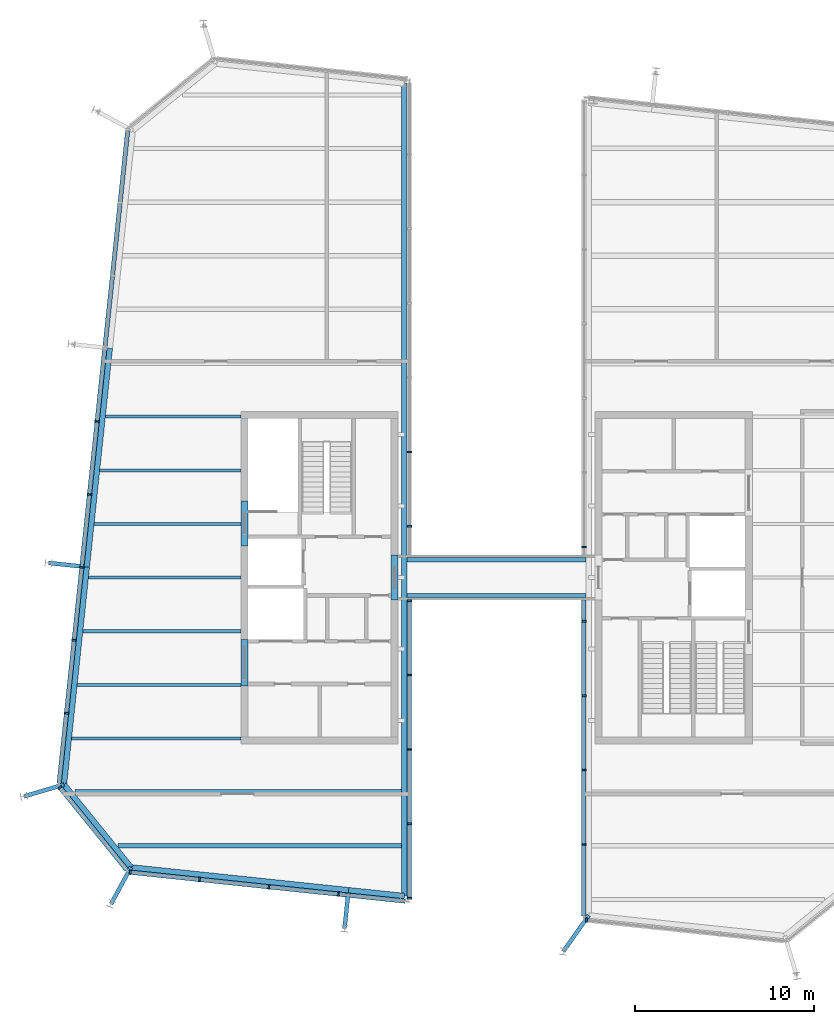
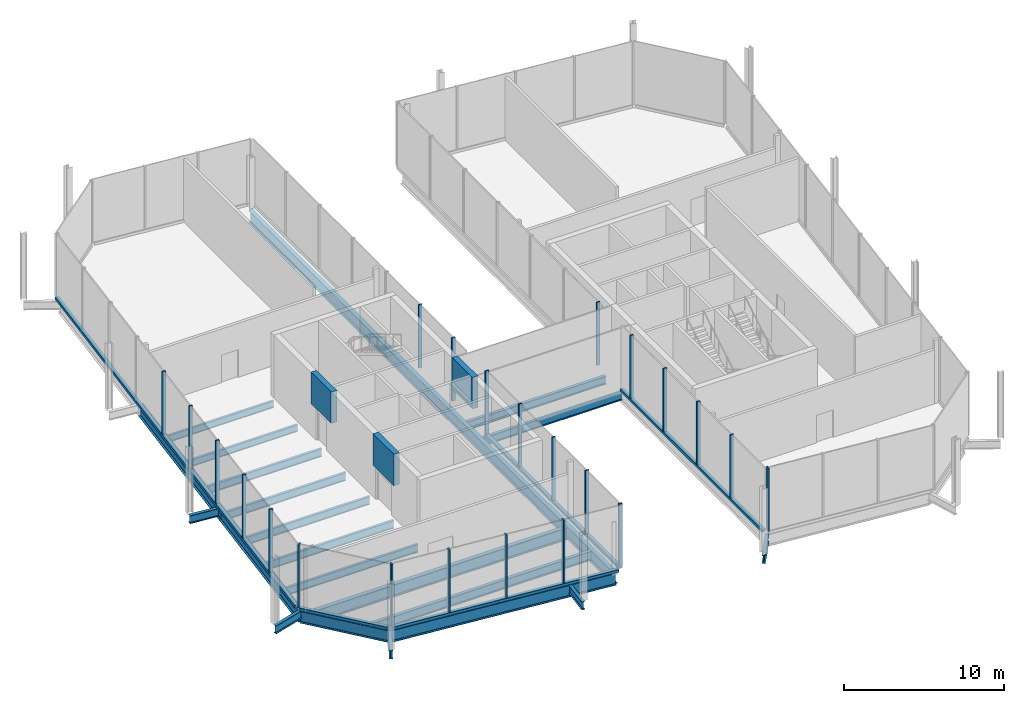
# One storey, part 3 of 12: 28 members, 25 beams, 6 elements without a shape of their own.
"""IFC4 building model written with IfcOpenShell, lengths in metres."""

from ifc_helpers import new_model, si_unit, direction, frame, origin, origin_2d, place, context, subcontext, project, spatial, rectangle, i_section, extrude, material, layer, layer_set, material_profile, profile_set, type_object, element, aggregate, save


model = new_model("IFC4")

# Units and contexts
model_context = context("Model", 3, precision=1e-05, world=origin(), true_north=direction((0.0, 1.0)))
body_context = subcontext(model_context, "Body", "Model", "MODEL_VIEW")
ifc_project = project(units=[si_unit("LENGTHUNIT", "METRE"), si_unit("AREAUNIT", "SQUARE_METRE"), si_unit("VOLUMEUNIT", "CUBIC_METRE"), si_unit("PLANEANGLEUNIT", "RADIAN"), si_unit("MASSUNIT", "GRAM", prefix="KILO")], contexts=[model_context])

# Site, building, storey
site_placement = place(None, origin())
site = spatial("IfcSite", under=ifc_project, at=site_placement, CompositionType="ELEMENT")
building_placement = place(site_placement, origin())
building = spatial("IfcBuilding", under=site, at=building_placement, Name="Millrace Tower", CompositionType="ELEMENT")
storey_placement = place(building_placement, frame((0.0, 0.0, 347.10009765625)))
storey = spatial("IfcBuildingStorey", under=building, at=storey_placement, Name="L80", CompositionType="ELEMENT", Elevation=347.10009765625)

# Beams
ifc_material_1 = material(Name="Steel ASTM A992 Grade 50", Category="steel")
ifc_material_profile_1 = material_profile(ifc_material_1, i_section(OverallWidth=0.23046875, OverallDepth=0.6171875, WebThickness=0.01318359375, FlangeThickness=0.022216796875, FilletRadius=0.012939453125, at=origin_2d()))
ifc_profile_set_1 = profile_set([ifc_material_profile_1], Name="Steel ASTM A992 Grade 50")
beam_type_1 = type_object("IfcBeamType", Name="Bridge beam W24x94", PredefinedType="BEAM", material=ifc_profile_set_1)
for number, where, z_axis, x_axis, name in (
    (1, (-5.0, -1.0, -0.5087890625), (1.0, 0.0, 0.0), (0.0, 1.0, 0.0), "BR-LK-L80-S"),
    (2, (-5.0, 1.0, -0.5087890625), (1.0, 0.0, 0.0), (0.0, 1.0, 0.0), "BR-LK-L80-N"),
):
    element("IfcBeam", number, at=place(storey_placement, frame(where, z_axis=z_axis, x_axis=x_axis)), inside=storey, type_object=beam_type_1, Name=name, PredefinedType="BEAM", context=body_context, shape_type="SweptSolid", body=[
        extrude(i_section(OverallWidth=0.23046875, OverallDepth=0.6171875, WebThickness=0.01318359375, FlangeThickness=0.022216796875, FilletRadius=0.012939453125, at=origin_2d()), origin(), (0.0, 0.0, 1.0), 10.0),
    ])

# Curtain wall, members
ifc_material_2 = material(Name="Aluminium and glass", Category="aluminium")
ifc_layer = layer(ifc_material_2, 0.25)
ifc_layer_set = layer_set([ifc_layer], Name="Aluminium and glass")
curtain_wall_type = type_object("IfcCurtainWallType", Name="CW-7 crown louvred enclosure", PredefinedType="NOTDEFINED", material=ifc_layer_set)
placement = place(storey_placement, origin())
curtain_wall_1 = element("IfcCurtainWall", 3, at=placement, inside=storey, type_object=curtain_wall_type, Name="Curtain wall CW-F01 L80", PredefinedType="NOTDEFINED")
ifc_material_3 = material(Name="Aluminium", Category="aluminium")
ifc_material_profile_2 = material_profile(ifc_material_3, rectangle(XDim=0.10009765625, YDim=0.25, at=origin_2d()))
ifc_profile_set_2 = profile_set([ifc_material_profile_2], Name="Aluminium")
member_type_1 = type_object("IfcMemberType", Name="CW-7 crown louvred enclosure mullion", PredefinedType="MULLION", material=ifc_profile_set_2)
member_1_placement = place(storey_placement, frame((-4.875, -17.9287109375, 0.199951171875), z_axis=(0.0, 0.0, 1.0), x_axis=(0.0, 1.0, 0.0)))
member_1 = element("IfcMember", 4, at=member_1_placement, type_object=member_type_1, Name="CW7 mullion CW-F01.1", PredefinedType="MULLION", context=body_context, shape_type="SweptSolid", body=[
    extrude(rectangle(XDim=0.10009765625, YDim=0.25, at=origin_2d()), origin(), (0.0, 0.0, 1.0), 4.800048828125),
])
member_2_placement = place(storey_placement, frame((-4.875, -13.76953125, 0.199951171875), z_axis=(0.0, 0.0, 1.0), x_axis=(0.0, 1.0, 0.0)))
member_2 = element("IfcMember", 5, at=member_2_placement, type_object=member_type_1, Name="CW7 mullion CW-F01.2", PredefinedType="MULLION", context=body_context, shape_type="SweptSolid", body=[
    extrude(rectangle(XDim=0.10009765625, YDim=0.25, at=origin_2d()), origin(), (0.0, 0.0, 1.0), 4.800048828125),
])
member_3_placement = place(storey_placement, frame((-4.875, -9.610595703125, 0.199951171875), z_axis=(0.0, 0.0, 1.0), x_axis=(0.0, 1.0, 0.0)))
member_3 = element("IfcMember", 6, at=member_3_placement, type_object=member_type_1, Name="CW7 mullion CW-F01.3", PredefinedType="MULLION", context=body_context, shape_type="SweptSolid", body=[
    extrude(rectangle(XDim=0.10009765625, YDim=0.25, at=origin_2d()), origin(), (0.0, 0.0, 1.0), 4.800048828125),
])
member_4_placement = place(storey_placement, frame((-4.875, -5.451416015625, 0.199951171875), z_axis=(0.0, 0.0, 1.0), x_axis=(0.0, 1.0, 0.0)))
member_4 = element("IfcMember", 7, at=member_4_placement, type_object=member_type_1, Name="CW7 mullion CW-F01.4", PredefinedType="MULLION", context=body_context, shape_type="SweptSolid", body=[
    extrude(rectangle(XDim=0.10009765625, YDim=0.25, at=origin_2d()), origin(), (0.0, 0.0, 1.0), 4.800048828125),
])
member_5_placement = place(storey_placement, frame((-4.875, -1.292236328125, 0.199951171875), z_axis=(0.0, 0.0, 1.0), x_axis=(0.0, 1.0, 0.0)))
member_5 = element("IfcMember", 8, at=member_5_placement, type_object=member_type_1, Name="CW7 mullion CW-F01.5", PredefinedType="MULLION", context=body_context, shape_type="SweptSolid", body=[
    extrude(rectangle(XDim=0.10009765625, YDim=0.25, at=origin_2d()), origin(), (0.0, 0.0, 1.0), 4.800048828125),
])
member_6_placement = place(storey_placement, frame((-4.875, 2.866943359375, 0.199951171875), z_axis=(0.0, 0.0, 1.0), x_axis=(0.0, 1.0, 0.0)))
member_6 = element("IfcMember", 9, at=member_6_placement, type_object=member_type_1, Name="CW7 mullion CW-F01.6", PredefinedType="MULLION", context=body_context, shape_type="SweptSolid", body=[
    extrude(rectangle(XDim=0.10009765625, YDim=0.25, at=origin_2d()), origin(), (0.0, 0.0, 1.0), 4.800048828125),
])
member_7_placement = place(storey_placement, frame((-4.875, 7.026123046875, 0.199951171875), z_axis=(0.0, 0.0, 1.0), x_axis=(0.0, 1.0, 0.0)))
member_7 = element("IfcMember", 10, at=member_7_placement, type_object=member_type_1, Name="CW7 mullion CW-F01.7", PredefinedType="MULLION", context=body_context, shape_type="SweptSolid", body=[
    extrude(rectangle(XDim=0.10009765625, YDim=0.25, at=origin_2d()), origin(), (0.0, 0.0, 1.0), 4.800048828125),
])

curtain_wall_2 = element("IfcCurtainWall", 11, at=placement, inside=storey, type_object=curtain_wall_type, Name="Curtain wall CW-F04 L80", PredefinedType="NOTDEFINED")
member_8_placement = place(storey_placement, frame((-22.340576171875, 8.730224609375, 0.199951171875), z_axis=(0.0, 0.0, 1.0), x_axis=(-0.104528455196, -0.994521896217, 0.0)))
member_8 = element("IfcMember", 12, at=member_8_placement, type_object=member_type_1, Name="CW7 mullion CW-F04.5", PredefinedType="MULLION", context=body_context, shape_type="SweptSolid", body=[
    extrude(rectangle(XDim=0.10009765625, YDim=0.25, at=origin_2d()), origin(), (0.0, 0.0, 1.0), 4.800048828125),
])
member_9_placement = place(storey_placement, frame((-22.769287109375, 4.652587890625, 0.199951171875), z_axis=(0.0, 0.0, 1.0), x_axis=(-0.104528455196, -0.994521896217, 0.0)))
member_9 = element("IfcMember", 13, at=member_9_placement, type_object=member_type_1, Name="CW7 mullion CW-F04.6", PredefinedType="MULLION", context=body_context, shape_type="SweptSolid", body=[
    extrude(rectangle(XDim=0.10009765625, YDim=0.25, at=origin_2d()), origin(), (0.0, 0.0, 1.0), 4.800048828125),
])
member_10_placement = place(storey_placement, frame((-23.19775390625, 0.574951171875, 0.199951171875), z_axis=(0.0, 0.0, 1.0), x_axis=(-0.104528455196, -0.994521896217, 0.0)))
member_10 = element("IfcMember", 14, at=member_10_placement, type_object=member_type_1, Name="CW7 mullion CW-F04.7", PredefinedType="MULLION", context=body_context, shape_type="SweptSolid", body=[
    extrude(rectangle(XDim=0.10009765625, YDim=0.25, at=origin_2d()), origin(), (0.0, 0.0, 1.0), 4.800048828125),
])
member_11_placement = place(storey_placement, frame((-23.626220703125, -3.50244140625, 0.199951171875), z_axis=(0.0, 0.0, 1.0), x_axis=(-0.104528455196, -0.994521896217, 0.0)))
member_11 = element("IfcMember", 15, at=member_11_placement, type_object=member_type_1, Name="CW7 mullion CW-F04.8", PredefinedType="MULLION", context=body_context, shape_type="SweptSolid", body=[
    extrude(rectangle(XDim=0.10009765625, YDim=0.25, at=origin_2d()), origin(), (0.0, 0.0, 1.0), 4.800048828125),
])
member_12_placement = place(storey_placement, frame((-24.054931640625, -7.580078125, 0.199951171875), z_axis=(0.0, 0.0, 1.0), x_axis=(-0.104528455196, -0.994521896217, 0.0)))
member_12 = element("IfcMember", 16, at=member_12_placement, type_object=member_type_1, Name="CW7 mullion CW-F04.9", PredefinedType="MULLION", context=body_context, shape_type="SweptSolid", body=[
    extrude(rectangle(XDim=0.10009765625, YDim=0.25, at=origin_2d()), origin(), (0.0, 0.0, 1.0), 4.800048828125),
])

# Curtain wall, member
curtain_wall_3 = element("IfcCurtainWall", 17, at=placement, inside=storey, type_object=curtain_wall_type, Name="Curtain wall CW-F05 L80", PredefinedType="NOTDEFINED")
member_13_placement = place(storey_placement, frame((-24.419677734375, -11.738525390625, 0.199951171875), z_axis=(0.0, 0.0, 1.0), x_axis=(0.629320278945, -0.777146052237, 0.0)))
member_13 = element("IfcMember", 18, at=member_13_placement, type_object=member_type_1, Name="CW7 mullion CW-F05.1", PredefinedType="MULLION", context=body_context, shape_type="SweptSolid", body=[
    extrude(rectangle(XDim=0.10009765625, YDim=0.25, at=origin_2d()), origin(), (0.0, 0.0, 1.0), 4.800048828125),
])

# Curtain wall, members
curtain_wall_4 = element("IfcCurtainWall", 19, at=placement, inside=storey, type_object=curtain_wall_type, Name="Curtain wall CW-F06 L80", PredefinedType="NOTDEFINED")
member_14_placement = place(storey_placement, frame((-20.490234375, -16.476318359375, 0.199951171875), z_axis=(0.0, 0.0, 1.0), x_axis=(0.994521898138, -0.104528436919, 0.0)))
member_14 = element("IfcMember", 20, at=member_14_placement, type_object=member_type_1, Name="CW7 mullion CW-F06.1", PredefinedType="MULLION", context=body_context, shape_type="SweptSolid", body=[
    extrude(rectangle(XDim=0.10009765625, YDim=0.25, at=origin_2d()), origin(), (0.0, 0.0, 1.0), 4.800048828125),
])
member_15_placement = place(storey_placement, frame((-16.608642578125, -16.88427734375, 0.199951171875), z_axis=(0.0, 0.0, 1.0), x_axis=(0.994521898138, -0.104528436919, 0.0)))
member_15 = element("IfcMember", 21, at=member_15_placement, type_object=member_type_1, Name="CW7 mullion CW-F06.2", PredefinedType="MULLION", context=body_context, shape_type="SweptSolid", body=[
    extrude(rectangle(XDim=0.10009765625, YDim=0.25, at=origin_2d()), origin(), (0.0, 0.0, 1.0), 4.800048828125),
])
member_16_placement = place(storey_placement, frame((-12.726806640625, -17.292236328125, 0.199951171875), z_axis=(0.0, 0.0, 1.0), x_axis=(0.994521898138, -0.104528436919, 0.0)))
member_16 = element("IfcMember", 22, at=member_16_placement, type_object=member_type_1, Name="CW7 mullion CW-F06.3", PredefinedType="MULLION", context=body_context, shape_type="SweptSolid", body=[
    extrude(rectangle(XDim=0.10009765625, YDim=0.25, at=origin_2d()), origin(), (0.0, 0.0, 1.0), 4.800048828125),
])
member_17_placement = place(storey_placement, frame((-8.844970703125, -17.700439453125, 0.199951171875), z_axis=(0.0, 0.0, 1.0), x_axis=(0.994521898138, -0.104528436919, 0.0)))
member_17 = element("IfcMember", 23, at=member_17_placement, type_object=member_type_1, Name="CW7 mullion CW-F06.4", PredefinedType="MULLION", context=body_context, shape_type="SweptSolid", body=[
    extrude(rectangle(XDim=0.10009765625, YDim=0.25, at=origin_2d()), origin(), (0.0, 0.0, 1.0), 4.800048828125),
])

curtain_wall_5 = element("IfcCurtainWall", 24, at=placement, inside=storey, type_object=curtain_wall_type, Name="Curtain wall CE-F01 L80", PredefinedType="NOTDEFINED")
member_18_placement = place(storey_placement, frame((4.875, 1.7158203125, 0.199951171875), z_axis=(0.0, 0.0, 1.0), x_axis=(0.0, -1.0, 0.0)))
member_18 = element("IfcMember", 25, at=member_18_placement, type_object=member_type_1, Name="CW7 mullion CE-F01.7", PredefinedType="MULLION", context=body_context, shape_type="SweptSolid", body=[
    extrude(rectangle(XDim=0.10009765625, YDim=0.25, at=origin_2d()), origin(), (0.0, 0.0, 1.0), 4.800048828125),
])
member_19_placement = place(storey_placement, frame((4.875, -2.443115234375, 0.199951171875), z_axis=(0.0, 0.0, 1.0), x_axis=(0.0, -1.0, 0.0)))
member_19 = element("IfcMember", 26, at=member_19_placement, type_object=member_type_1, Name="CW7 mullion CE-F01.8", PredefinedType="MULLION", context=body_context, shape_type="SweptSolid", body=[
    extrude(rectangle(XDim=0.10009765625, YDim=0.25, at=origin_2d()), origin(), (0.0, 0.0, 1.0), 4.800048828125),
])
member_20_placement = place(storey_placement, frame((4.875, -6.602294921875, 0.199951171875), z_axis=(0.0, 0.0, 1.0), x_axis=(0.0, -1.0, 0.0)))
member_20 = element("IfcMember", 27, at=member_20_placement, type_object=member_type_1, Name="CW7 mullion CE-F01.9", PredefinedType="MULLION", context=body_context, shape_type="SweptSolid", body=[
    extrude(rectangle(XDim=0.10009765625, YDim=0.25, at=origin_2d()), origin(), (0.0, 0.0, 1.0), 4.800048828125),
])
member_21_placement = place(storey_placement, frame((4.875, -10.761474609375, 0.199951171875), z_axis=(0.0, 0.0, 1.0), x_axis=(0.0, -1.0, 0.0)))
member_21 = element("IfcMember", 28, at=member_21_placement, type_object=member_type_1, Name="CW7 mullion CE-F01.10", PredefinedType="MULLION", context=body_context, shape_type="SweptSolid", body=[
    extrude(rectangle(XDim=0.10009765625, YDim=0.25, at=origin_2d()), origin(), (0.0, 0.0, 1.0), 4.800048828125),
])
member_22_placement = place(storey_placement, frame((4.875, -14.920654296875, 0.199951171875), z_axis=(0.0, 0.0, 1.0), x_axis=(0.0, -1.0, 0.0)))
member_22 = element("IfcMember", 29, at=member_22_placement, type_object=member_type_1, Name="CW7 mullion CE-F01.11", PredefinedType="MULLION", context=body_context, shape_type="SweptSolid", body=[
    extrude(rectangle(XDim=0.10009765625, YDim=0.25, at=origin_2d()), origin(), (0.0, 0.0, 1.0), 4.800048828125),
])

# Curtain wall, member
curtain_wall_6 = element("IfcCurtainWall", 30, at=placement, inside=storey, type_object=curtain_wall_type, Name="Curtain wall CE-F02 L80", PredefinedType="NOTDEFINED")
member_23_placement = place(storey_placement, frame((5.03662109375, -19.159423828125, 0.199951171875), z_axis=(0.0, 0.0, 1.0), x_axis=(0.994521900296, -0.104528416385, 0.0)))
member_23 = element("IfcMember", 31, at=member_23_placement, type_object=member_type_1, Name="CW7 mullion CE-F02.1", PredefinedType="MULLION", context=body_context, shape_type="SweptSolid", body=[
    extrude(rectangle(XDim=0.10009765625, YDim=0.25, at=origin_2d()), origin(), (0.0, 0.0, 1.0), 4.800048828125),
])
aggregate(curtain_wall_6, [member_23])

# Member
ifc_material_4 = material(Name="Aluminium", Category="aluminium")
ifc_material_profile_3 = material_profile(ifc_material_4, rectangle(XDim=0.25, YDim=0.199951171875, at=origin_2d()))
ifc_profile_set_3 = profile_set([ifc_material_profile_3], Name="Aluminium")
member_type_2 = type_object("IfcMemberType", Name="CW-7 crown louvred enclosure transom", PredefinedType="USERDEFINED", material=ifc_profile_set_3)
member_24_placement = place(storey_placement, frame((-20.631591796875, 24.990478515625, 0.099853515625), z_axis=(-0.104528607573, -0.994521880201, 0.0), x_axis=(0.994521880201, -0.104528607573, 0.0)))
member_24 = element("IfcMember", 32, at=member_24_placement, type_object=member_type_2, Name="CW7 transom CW-F04.1", ObjectType="TRANSOM", PredefinedType="USERDEFINED", context=body_context, shape_type="SweptSolid", body=[
    extrude(rectangle(XDim=0.25, YDim=0.199951171875, at=origin_2d()), origin(), (0.0, 0.0, 1.0), 36.69970703125),
])

aggregate(curtain_wall_2, [member_8, member_9, member_10, member_11, member_12, member_24])

member_25_placement = place(storey_placement, frame((-24.38818359375, -11.77734375, 0.099853515625), z_axis=(0.629341524136, -0.777128847746, 0.0), x_axis=(0.777128847746, 0.629341524136, 0.0)))
member_25 = element("IfcMember", 33, at=member_25_placement, type_object=member_type_2, Name="CW7 transom CW-F05.1", ObjectType="TRANSOM", PredefinedType="USERDEFINED", context=body_context, shape_type="SweptSolid", body=[
    extrude(rectangle(XDim=0.25, YDim=0.199951171875, at=origin_2d()), origin(), (0.0, 0.0, 1.0), 5.881103515625),
])

aggregate(curtain_wall_3, [member_13, member_25])

member_26_placement = place(storey_placement, frame((-20.440673828125, -16.481689453125, 0.099853515625), z_axis=(0.994523318532, -0.104514921886, 0.0), x_axis=(0.104514921886, 0.994523318532, 0.0)))
member_26 = element("IfcMember", 34, at=member_26_placement, type_object=member_type_2, Name="CW7 transom CW-F06.1", ObjectType="TRANSOM", PredefinedType="USERDEFINED", context=body_context, shape_type="SweptSolid", body=[
    extrude(rectangle(XDim=0.25, YDim=0.199951171875, at=origin_2d()), origin(), (0.0, 0.0, 1.0), 15.41259765625),
])

aggregate(curtain_wall_4, [member_14, member_15, member_16, member_17, member_26])

member_27_placement = place(storey_placement, frame((-4.875, -17.878662109375, 0.099853515625), z_axis=(0.0, 1.0, 0.0), x_axis=(-1.0, 0.0, 0.0)))
member_27 = element("IfcMember", 35, at=member_27_placement, type_object=member_type_2, Name="CW7 transom CW-F01.1", ObjectType="TRANSOM", PredefinedType="USERDEFINED", context=body_context, shape_type="SweptSolid", body=[
    extrude(rectangle(XDim=0.25, YDim=0.199951171875, at=origin_2d()), origin(), (0.0, 0.0, 1.0), 16.638671875),
])

aggregate(curtain_wall_1, [member_1, member_2, member_3, member_4, member_5, member_6, member_7, member_27])

member_28_placement = place(storey_placement, frame((4.875, -18.929931640625, 0.099853515625), z_axis=(0.0, 1.0, 0.0), x_axis=(-1.0, 0.0, 0.0)))
member_28 = element("IfcMember", 36, at=member_28_placement, type_object=member_type_2, Name="CW7 transom CE-F01.1", ObjectType="TRANSOM", PredefinedType="USERDEFINED", context=body_context, shape_type="SweptSolid", body=[
    extrude(rectangle(XDim=0.25, YDim=0.199951171875, at=origin_2d()), origin(), (0.0, 0.0, 1.0), 17.68994140625),
])

aggregate(curtain_wall_5, [member_18, member_19, member_20, member_21, member_22, member_28])

# Beams
ifc_material_5 = material(Name="Concrete C60", Category="concrete")
ifc_material_profile_4 = material_profile(ifc_material_5, rectangle(XDim=0.39990234375, YDim=2.39990234375, at=origin_2d()))
ifc_profile_set_4 = profile_set([ifc_material_profile_4], Name="Concrete C60")
beam_type_2 = type_object("IfcBeamType", Name="Coupling beam 400 x 2400 Concrete C60, 1300 opening", PredefinedType="BEAM", material=ifc_profile_set_4)
for number, where, z_axis, x_axis, name in (
    (37, (-14.10009765625, 1.77001953125, 3.599853515625), (0.0, 1.0, 0.0), (-1.0, 0.0, 0.0), "Coupling beam W L80"),
    (38, (-5.699951171875, -1.260009765625, 3.599853515625), (0.0, 1.0, 0.0), (-1.0, 0.0, 0.0), "Coupling beam W L80"),
):
    element("IfcBeam", number, at=place(storey_placement, frame(where, z_axis=z_axis, x_axis=x_axis)), inside=storey, type_object=beam_type_2, Name=name, PredefinedType="BEAM", context=body_context, shape_type="SweptSolid", body=[
        extrude(rectangle(XDim=0.39990234375, YDim=2.39990234375, at=origin_2d()), origin(), (0.0, 0.0, 1.0), 2.52001953125),
    ])
ifc_material_6 = material(Name="Concrete C60", Category="concrete")
ifc_material_profile_5 = material_profile(ifc_material_6, rectangle(XDim=0.39990234375, YDim=2.39990234375, at=origin_2d()))
ifc_profile_set_5 = profile_set([ifc_material_profile_5], Name="Concrete C60")
beam_type_3 = type_object("IfcBeamType", Name="Coupling beam 400 x 2400 Concrete C60, 2000 opening", PredefinedType="BEAM", material=ifc_profile_set_5)
beam_1_placement = place(storey_placement, frame((-14.10009765625, -6.050048828125, 3.599853515625), z_axis=(0.0, 1.0, 0.0), x_axis=(-1.0, 0.0, 0.0)))
element("IfcBeam", 39, at=beam_1_placement, inside=storey, type_object=beam_type_3, Name="Coupling beam W L80", PredefinedType="BEAM", context=body_context, shape_type="SweptSolid", body=[
    extrude(rectangle(XDim=0.39990234375, YDim=2.39990234375, at=origin_2d()), origin(), (0.0, 0.0, 1.0), 2.60009765625),
])
ifc_material_7 = material(Name="Steel ASTM A992 Grade 50", Category="steel")
ifc_material_profile_6 = material_profile(ifc_material_7, i_section(OverallWidth=0.1650390625, OverallDepth=0.52587890625, WebThickness=0.0087890625, FlangeThickness=0.011474609375, FilletRadius=0.0126953125, at=origin_2d()))
ifc_profile_set_6 = profile_set([ifc_material_profile_6], Name="Steel ASTM A992 Grade 50")
beam_type_4 = type_object("IfcBeamType", Name="Floor beam W21x44", PredefinedType="JOIST", material=ifc_profile_set_6)
beam_2_placement = place(storey_placement, frame((-22.19287109375, 6.0, -0.462890625), z_axis=(1.0, 0.0, 0.0), x_axis=(0.0, 1.0, 0.0)))
element("IfcBeam", 40, at=beam_2_placement, inside=storey, type_object=beam_type_4, Name="BM-CROWN-L80-SW-S008", PredefinedType="JOIST", context=body_context, shape_type="SweptSolid", body=[
    extrude(i_section(OverallWidth=0.1650390625, OverallDepth=0.52587890625, WebThickness=0.0087890625, FlangeThickness=0.011474609375, FilletRadius=0.0126953125, at=origin_2d()), origin(), (0.0, 0.0, 1.0), 7.892822265625),
])
beam_3_placement = place(storey_placement, frame((-21.87744140625, 9.0, -0.462890625), z_axis=(1.0, 0.0, 0.0), x_axis=(0.0, 1.0, 0.0)))
element("IfcBeam", 41, at=beam_3_placement, inside=storey, type_object=beam_type_4, Name="BM-CROWN-L80-SW-S009", PredefinedType="JOIST", context=body_context, shape_type="SweptSolid", body=[
    extrude(i_section(OverallWidth=0.1650390625, OverallDepth=0.52587890625, WebThickness=0.0087890625, FlangeThickness=0.011474609375, FilletRadius=0.0126953125, at=origin_2d()), origin(), (0.0, 0.0, 1.0), 7.577392578125),
])
ifc_material_8 = material(Name="Steel ASTM A992 Grade 50", Category="steel")
ifc_material_profile_7 = material_profile(ifc_material_8, i_section(OverallWidth=0.177978515625, OverallDepth=0.599365234375, WebThickness=0.010009765625, FlangeThickness=0.012939453125, FilletRadius=0.012939453125, at=origin_2d()))
ifc_profile_set_7 = profile_set([ifc_material_profile_7], Name="Steel ASTM A992 Grade 50")
beam_type_5 = type_object("IfcBeamType", Name="Floor beam W24x55", PredefinedType="JOIST", material=ifc_profile_set_7)
beam_4_placement = place(storey_placement, frame((-23.76953125, -9.0, -0.499755859375), z_axis=(1.0, 0.0, 0.0), x_axis=(0.0, 1.0, 0.0)))
element("IfcBeam", 42, at=beam_4_placement, inside=storey, type_object=beam_type_5, Name="BM-CROWN-L80-SW-S003", PredefinedType="JOIST", context=body_context, shape_type="SweptSolid", body=[
    extrude(i_section(OverallWidth=0.177978515625, OverallDepth=0.599365234375, WebThickness=0.010009765625, FlangeThickness=0.012939453125, FilletRadius=0.012939453125, at=origin_2d()), origin(), (0.0, 0.0, 1.0), 9.469482421875),
])
beam_5_placement = place(storey_placement, frame((-23.4541015625, -6.0, -0.499755859375), z_axis=(1.0, 0.0, 0.0), x_axis=(0.0, 1.0, 0.0)))
element("IfcBeam", 43, at=beam_5_placement, inside=storey, type_object=beam_type_5, Name="BM-CROWN-L80-SW-S004", PredefinedType="JOIST", context=body_context, shape_type="SweptSolid", body=[
    extrude(i_section(OverallWidth=0.177978515625, OverallDepth=0.599365234375, WebThickness=0.010009765625, FlangeThickness=0.012939453125, FilletRadius=0.012939453125, at=origin_2d()), origin(), (0.0, 0.0, 1.0), 9.154052734375),
])
beam_6_placement = place(storey_placement, frame((-23.138916015625, -3.0, -0.499755859375), z_axis=(1.0, 0.0, 0.0), x_axis=(0.0, 1.0, 0.0)))
element("IfcBeam", 44, at=beam_6_placement, inside=storey, type_object=beam_type_5, Name="BM-CROWN-L80-SW-S005", PredefinedType="JOIST", context=body_context, shape_type="SweptSolid", body=[
    extrude(i_section(OverallWidth=0.177978515625, OverallDepth=0.599365234375, WebThickness=0.010009765625, FlangeThickness=0.012939453125, FilletRadius=0.012939453125, at=origin_2d()), origin(), (0.0, 0.0, 1.0), 8.8388671875),
])
beam_7_placement = place(storey_placement, frame((-22.823486328125, 0.0, -0.499755859375), z_axis=(1.0, 0.0, 0.0), x_axis=(0.0, 1.0, 0.0)))
element("IfcBeam", 45, at=beam_7_placement, inside=storey, type_object=beam_type_5, Name="BM-CROWN-L80-SW-S006", PredefinedType="JOIST", context=body_context, shape_type="SweptSolid", body=[
    extrude(i_section(OverallWidth=0.177978515625, OverallDepth=0.599365234375, WebThickness=0.010009765625, FlangeThickness=0.012939453125, FilletRadius=0.012939453125, at=origin_2d()), origin(), (0.0, 0.0, 1.0), 8.5234375),
])
beam_8_placement = place(storey_placement, frame((-22.508056640625, 3.0, -0.499755859375), z_axis=(1.0, 0.0, 0.0), x_axis=(0.0, 1.0, 0.0)))
element("IfcBeam", 46, at=beam_8_placement, inside=storey, type_object=beam_type_5, Name="BM-CROWN-L80-SW-S007", PredefinedType="JOIST", context=body_context, shape_type="SweptSolid", body=[
    extrude(i_section(OverallWidth=0.177978515625, OverallDepth=0.599365234375, WebThickness=0.010009765625, FlangeThickness=0.012939453125, FilletRadius=0.012939453125, at=origin_2d()), origin(), (0.0, 0.0, 1.0), 8.2080078125),
])
ifc_material_9 = material(Name="Steel ASTM A992 Grade 50", Category="steel")
ifc_material_profile_8 = material_profile(ifc_material_9, i_section(OverallWidth=0.256591796875, OverallDepth=0.693359375, WebThickness=0.014404296875, FlangeThickness=0.023681640625, FilletRadius=0.01513671875, at=origin_2d()))
ifc_profile_set_8 = profile_set([ifc_material_profile_8], Name="Steel ASTM A992 Grade 50")
beam_type_6 = type_object("IfcBeamType", Name="Floor beam W27x114", PredefinedType="JOIST", material=ifc_profile_set_8)
beam_9_placement = place(storey_placement, frame((-21.174072265625, -15.0, -0.546875), z_axis=(1.0, 0.0, 0.0), x_axis=(0.0, 1.0, 0.0)))
element("IfcBeam", 47, at=beam_9_placement, inside=storey, type_object=beam_type_6, Name="BM-CROWN-L80-SW-S001", PredefinedType="JOIST", context=body_context, shape_type="SweptSolid", body=[
    extrude(i_section(OverallWidth=0.256591796875, OverallDepth=0.693359375, WebThickness=0.014404296875, FlangeThickness=0.023681640625, FilletRadius=0.01513671875, at=origin_2d()), origin(), (0.0, 0.0, 1.0), 15.86669921875),
])
ifc_material_10 = material(Name="Steel ASTM A992 Grade 50", Category="steel")
ifc_material_profile_9 = material_profile(ifc_material_10, i_section(OverallWidth=0.307373046875, OverallDepth=0.927001953125, WebThickness=0.01953125, FlangeThickness=0.031982421875, FilletRadius=0.01904296875, at=origin_2d()))
ifc_profile_set_9 = profile_set([ifc_material_profile_9], Name="Steel ASTM A992 Grade 50")
beam_type_7 = type_object("IfcBeamType", Name="Floor beam W36x194", PredefinedType="JOIST", material=ifc_profile_set_9)
beam_10_placement = place(storey_placement, frame((-23.58349609375, -12.0, -0.66357421875), z_axis=(1.0, 0.0, 0.0), x_axis=(0.0, 1.0, 0.0)))
element("IfcBeam", 48, at=beam_10_placement, inside=storey, type_object=beam_type_7, Name="BM-CROWN-L80-SW-S002", PredefinedType="JOIST", context=body_context, shape_type="SweptSolid", body=[
    extrude(i_section(OverallWidth=0.307373046875, OverallDepth=0.927001953125, WebThickness=0.01953125, FlangeThickness=0.031982421875, FilletRadius=0.01904296875, at=origin_2d()), origin(), (0.0, 0.0, 1.0), 18.276123046875),
])
ifc_material_11 = material(Name="Steel ASTM A992 Grade 50", Category="steel")
ifc_material_profile_10 = material_profile(ifc_material_11, i_section(OverallWidth=0.23046875, OverallDepth=0.6171875, WebThickness=0.01318359375, FlangeThickness=0.022216796875, FilletRadius=0.012939453125, at=origin_2d()))
ifc_profile_set_10 = profile_set([ifc_material_profile_10], Name="Steel ASTM A992 Grade 50")
beam_type_8 = type_object("IfcBeamType", Name="Link beam W24x94", PredefinedType="BEAM", material=ifc_profile_set_10)
beam_11_placement = place(storey_placement, frame((-8.29443359375, -17.632568359375, -0.5087890625), z_axis=(-0.104494148666, -0.99452550138, 0.0), x_axis=(0.99452550138, -0.104494148666, 0.0)))
element("IfcBeam", 49, at=beam_11_placement, inside=storey, type_object=beam_type_8, Name="LNK-CROWN-L80-SW-01", PredefinedType="BEAM", context=body_context, shape_type="SweptSolid", body=[
    extrude(i_section(OverallWidth=0.23046875, OverallDepth=0.6171875, WebThickness=0.01318359375, FlangeThickness=0.022216796875, FilletRadius=0.012939453125, at=origin_2d()), origin(), (0.0, 0.0, 1.0), 2.0),
])
for number, where, z_axis, x_axis, name in (
    (50, (-20.447509765625, -16.20068359375, -0.5087890625), (-0.477163510307, -0.87881453358, 0.0), (0.87881453358, -0.477163510307, 0.0), "LNK-CROWN-L80-SW-02"),
    (51, (-24.1943359375, -11.57373046875, -0.5087890625), (-0.958815015936, -0.284031275065, 0.0), (0.284031275065, -0.958815015936, 0.0), "LNK-CROWN-L80-SW-03"),
):
    element("IfcBeam", number, at=place(storey_placement, frame(where, z_axis=z_axis, x_axis=x_axis)), inside=storey, type_object=beam_type_8, Name=name, PredefinedType="BEAM", context=body_context, shape_type="SweptSolid", body=[
        extrude(i_section(OverallWidth=0.23046875, OverallDepth=0.6171875, WebThickness=0.01318359375, FlangeThickness=0.022216796875, FilletRadius=0.012939453125, at=origin_2d()), origin(), (0.0, 0.0, 1.0), 2.3310546875),
    ])
beam_12_placement = place(storey_placement, frame((-23.068115234375, 0.61181640625, -0.5087890625), z_axis=(-0.994526834051, 0.104481464157, 0.0), x_axis=(-0.104481464157, -0.994526834051, 0.0)))
element("IfcBeam", 52, at=beam_12_placement, inside=storey, type_object=beam_type_8, Name="LNK-CROWN-L80-SW-04", PredefinedType="BEAM", context=body_context, shape_type="SweptSolid", body=[
    extrude(i_section(OverallWidth=0.23046875, OverallDepth=0.6171875, WebThickness=0.01318359375, FlangeThickness=0.022216796875, FilletRadius=0.012939453125, at=origin_2d()), origin(), (0.0, 0.0, 1.0), 2.000244140625),
])
beam_13_placement = place(storey_placement, frame((5.153564453125, -18.891357421875, -0.5087890625), z_axis=(-0.577048175048, -0.816710109937, 0.0), x_axis=(0.816710109937, -0.577048175048, 0.0)))
element("IfcBeam", 53, at=beam_13_placement, inside=storey, type_object=beam_type_8, Name="LNK-CROWN-L80-SE-08", PredefinedType="BEAM", context=body_context, shape_type="SweptSolid", body=[
    extrude(i_section(OverallWidth=0.23046875, OverallDepth=0.6171875, WebThickness=0.01318359375, FlangeThickness=0.022216796875, FilletRadius=0.012939453125, at=origin_2d()), origin(), (0.0, 0.0, 1.0), 2.46826171875),
])
ifc_material_12 = material(Name="Steel ASTM A992 Grade 50", Category="steel")
ifc_material_profile_11 = material_profile(ifc_material_12, i_section(OverallWidth=0.307373046875, OverallDepth=0.927001953125, WebThickness=0.01953125, FlangeThickness=0.031982421875, FilletRadius=0.01904296875, at=origin_2d()))
ifc_profile_set_11 = profile_set([ifc_material_profile_11], Name="Steel ASTM A992 Grade 50")
beam_type_9 = type_object("IfcBeamType", Name="Ring beam long span W36x194", PredefinedType="SPANDREL", material=ifc_profile_set_11)
beam_14_placement = place(storey_placement, frame((-5.153564453125, 27.633544921875, -0.66357421875), z_axis=(0.0, -1.0, 0.0), x_axis=(1.0, 0.0, 0.0)))
element("IfcBeam", 54, at=beam_14_placement, inside=storey, type_object=beam_type_9, Name="RNG-CROWN-L80-SW-08", PredefinedType="SPANDREL", context=body_context, shape_type="SweptSolid", body=[
    extrude(i_section(OverallWidth=0.307373046875, OverallDepth=0.927001953125, WebThickness=0.01953125, FlangeThickness=0.031982421875, FilletRadius=0.01904296875, at=origin_2d()), origin(), (0.0, 0.0, 1.0), 45.441650390625),
])
ifc_material_13 = material(Name="Steel ASTM A992 Grade 50", Category="steel")
ifc_material_profile_12 = material_profile(ifc_material_13, i_section(OverallWidth=0.307373046875, OverallDepth=0.927001953125, WebThickness=0.01953125, FlangeThickness=0.031982421875, FilletRadius=0.01904296875, at=origin_2d()))
ifc_profile_set_12 = profile_set([ifc_material_profile_12], Name="Steel ASTM A992 Grade 50")
beam_type_10 = type_object("IfcBeamType", Name="Ring beam medium span W36x194", PredefinedType="SPANDREL", material=ifc_profile_set_12)
beam_15_placement = place(storey_placement, frame((-8.2783203125, -17.479736328125, -0.66357421875), z_axis=(-0.994521730693, 0.104530030035, 0.0), x_axis=(-0.104530030035, -0.994521730693, 0.0)))
element("IfcBeam", 55, at=beam_15_placement, inside=storey, type_object=beam_type_10, Name="RNG-CROWN-L80-SW-01", PredefinedType="SPANDREL", context=body_context, shape_type="SweptSolid", body=[
    extrude(i_section(OverallWidth=0.307373046875, OverallDepth=0.927001953125, WebThickness=0.01953125, FlangeThickness=0.031982421875, FilletRadius=0.01904296875, at=origin_2d()), origin(), (0.0, 0.0, 1.0), 12.236328125),
])
beam_16_placement = place(storey_placement, frame((-24.1943359375, -11.57373046875, -0.66357421875), z_axis=(0.104527955888, 0.994521948696, 0.0), x_axis=(-0.994521948696, 0.104527955888, 0.0)))
element("IfcBeam", 56, at=beam_16_placement, inside=storey, type_object=beam_type_10, Name="RNG-CROWN-L80-SW-03", PredefinedType="SPANDREL", context=body_context, shape_type="SweptSolid", body=[
    extrude(i_section(OverallWidth=0.307373046875, OverallDepth=0.927001953125, WebThickness=0.01953125, FlangeThickness=0.031982421875, FilletRadius=0.01904296875, at=origin_2d()), origin(), (0.0, 0.0, 1.0), 12.236572265625),
])
beam_17_placement = place(storey_placement, frame((-22.915283203125, 0.595703125, -0.66357421875), z_axis=(0.104523600289, 0.994522406476, 0.0), x_axis=(-0.994522406476, 0.104523600289, 0.0)))
element("IfcBeam", 57, at=beam_17_placement, inside=storey, type_object=beam_type_10, Name="RNG-CROWN-L80-SW-04", PredefinedType="SPANDREL", context=body_context, shape_type="SweptSolid", body=[
    extrude(i_section(OverallWidth=0.307373046875, OverallDepth=0.927001953125, WebThickness=0.01953125, FlangeThickness=0.031982421875, FilletRadius=0.01904296875, at=origin_2d()), origin(), (0.0, 0.0, 1.0), 12.300048828125),
])
ifc_material_14 = material(Name="Steel ASTM A992 Grade 50", Category="steel")
ifc_material_profile_13 = material_profile(ifc_material_14, i_section(OverallWidth=0.307373046875, OverallDepth=0.927001953125, WebThickness=0.01953125, FlangeThickness=0.031982421875, FilletRadius=0.01904296875, at=origin_2d()))
ifc_profile_set_13 = profile_set([ifc_material_profile_13], Name="Steel ASTM A992 Grade 50")
beam_type_11 = type_object("IfcBeamType", Name="Ring beam short span W36x194", PredefinedType="SPANDREL", material=ifc_profile_set_13)
beam_18_placement = place(storey_placement, frame((-20.447509765625, -16.20068359375, -0.66357421875), z_axis=(-0.629319722443, 0.777146502883, 0.0), x_axis=(-0.777146502883, -0.629319722443, 0.0)))
element("IfcBeam", 58, at=beam_18_placement, inside=storey, type_object=beam_type_11, Name="RNG-CROWN-L80-SW-02", PredefinedType="SPANDREL", context=body_context, shape_type="SweptSolid", body=[
    extrude(i_section(OverallWidth=0.307373046875, OverallDepth=0.927001953125, WebThickness=0.01953125, FlangeThickness=0.031982421875, FilletRadius=0.01904296875, at=origin_2d()), origin(), (0.0, 0.0, 1.0), 5.953857421875),
])
beam_19_placement = place(storey_placement, frame((-5.153564453125, -17.80810546875, -0.66357421875), z_axis=(-0.994523745873, 0.104510855395, 0.0), x_axis=(-0.104510855395, -0.994523745873, 0.0)))
element("IfcBeam", 59, at=beam_19_placement, inside=storey, type_object=beam_type_11, Name="RNG-CROWN-L80-SW-09", PredefinedType="SPANDREL", context=body_context, shape_type="SweptSolid", body=[
    extrude(i_section(OverallWidth=0.307373046875, OverallDepth=0.927001953125, WebThickness=0.01953125, FlangeThickness=0.031982421875, FilletRadius=0.01904296875, at=origin_2d()), origin(), (0.0, 0.0, 1.0), 3.141845703125),
])

save(model, "model.ifc")
